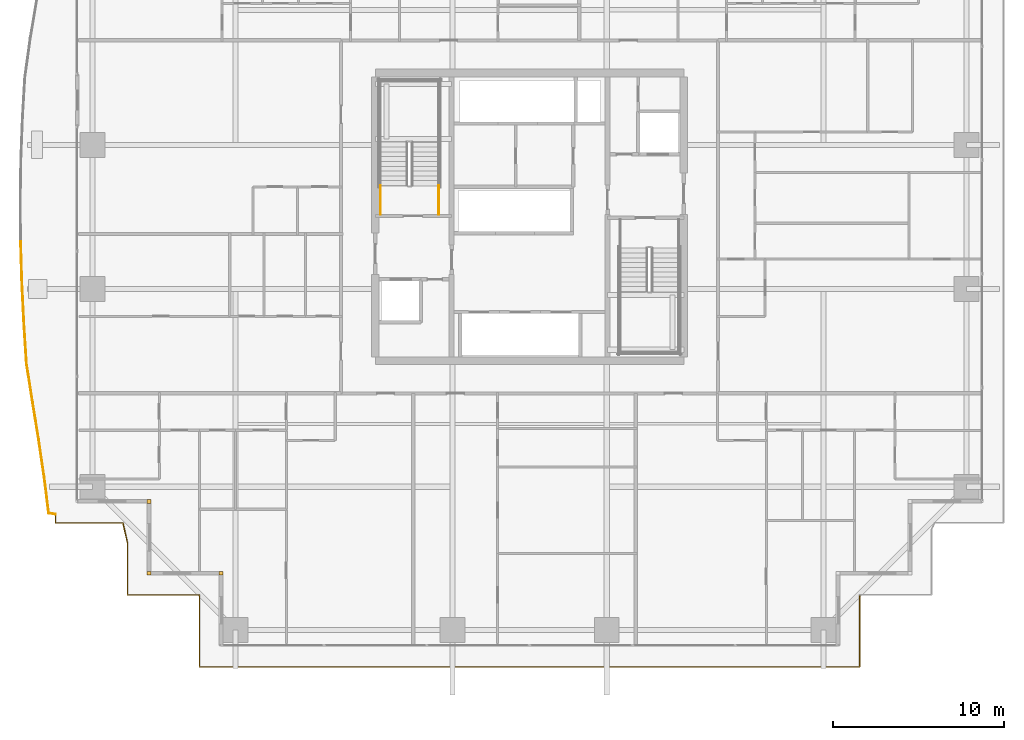
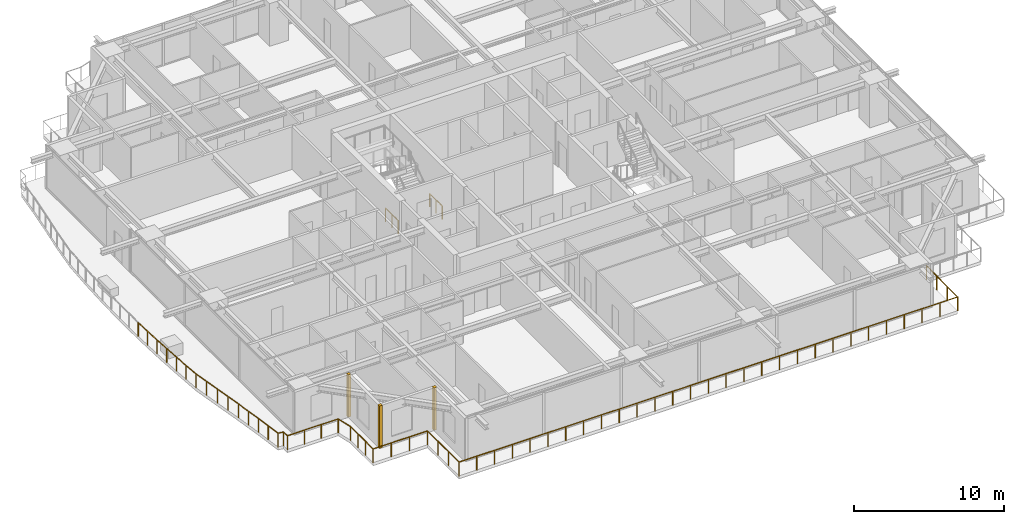
# One storey, part 30 of 35: 4 railings, 3 coverings.
"""IFC4 building model written with IfcOpenShell, lengths in metres."""

from ifc_helpers import new_model, si_unit, direction, frame, origin, origin_2d, place, context, subcontext, project, spatial, rectangle, circle, extrude, source, transform, mapped, material, layer, layer_set, type_object, element, save


model = new_model("IFC4")

# Units and contexts
model_context = context("Model", 3, precision=1e-05, world=origin(), true_north=direction((0.0, 1.0)))
body_context = subcontext(model_context, "Body", "Model", "MODEL_VIEW")
ifc_project = project(units=[si_unit("LENGTHUNIT", "METRE"), si_unit("AREAUNIT", "SQUARE_METRE"), si_unit("VOLUMEUNIT", "CUBIC_METRE"), si_unit("PLANEANGLEUNIT", "RADIAN"), si_unit("MASSUNIT", "GRAM", prefix="KILO")], contexts=[model_context])

# Site, building, storey
site_placement = place(None, origin())
site = spatial("IfcSite", under=ifc_project, at=site_placement, CompositionType="ELEMENT")
building_placement = place(site_placement, origin())
building = spatial("IfcBuilding", under=site, at=building_placement, Name="Serunith Strait Residences", CompositionType="ELEMENT")
storey_placement = place(building_placement, frame((0.0, 0.0, 71.699951171875)))
storey = spatial("IfcBuildingStorey", under=building, at=storey_placement, Name="L17", CompositionType="ELEMENT", Elevation=71.699951171875)

# Railings
ifc_material_1 = material(Name="Stainless Steel & Laminated Glass Balustrade", Category="steel")
railing_type_1 = type_object("IfcRailingType", Name="RLG-BALC-1150", PredefinedType="BALUSTRADE", material=ifc_material_1)
railing_1_placement = place(storey_placement, frame((4.739990234375, 7.8486328125, -0.050048828125)))
element("IfcRailing", 1, at=railing_1_placement, inside=storey, type_object=railing_type_1, Name="L17 Swirling Balcony Perimeter Balustrade 1", PredefinedType="BALUSTRADE", context=body_context, shape_type="SweptSolid", body=[
    extrude(circle(Radius=0.02392578125, at=origin_2d()), frame((-0.001953125, 0.000244140625, 1.1259765625), z_axis=(-0.987108076513, 0.160055132012, 0.0), x_axis=(-0.160055132012, -0.987108076513, 0.0)), (0.0, 0.0, 1.0), 0.397216796875),
    extrude(circle(Radius=0.02392578125, at=origin_2d()), frame((-0.396240234375, 0.066162109375, 1.1259765625), z_axis=(-0.125069265156, 0.992148012604, 0.0), x_axis=(-0.992148012604, -0.125069265156, 0.0)), (0.0, 0.0, 1.0), 2.145263671875),
    extrude(circle(Radius=0.02392578125, at=origin_2d()), frame((-0.6650390625, 2.198486328125, 1.1259765625), z_axis=(-0.145674785508, 0.989332530986, 0.0), x_axis=(-0.989332530986, -0.145674785508, 0.0)), (0.0, 0.0, 1.0), 2.173095703125),
    extrude(circle(Radius=0.02392578125, at=origin_2d()), frame((-0.982177734375, 4.352294921875, 1.1259765625), z_axis=(-0.160134877761, 0.987095142792, 0.0), x_axis=(-0.987095142792, -0.160134877761, 0.0)), (0.0, 0.0, 1.0), 2.2158203125),
    extrude(circle(Radius=0.02392578125, at=origin_2d()), frame((-1.337646484375, 6.54345703125, 1.1259765625), z_axis=(-0.155593626564, 0.987821149486, 0.0), x_axis=(-0.987821149486, -0.155593626564, 0.0)), (0.0, 0.0, 1.0), 2.272705078125),
    extrude(circle(Radius=0.02392578125, at=origin_2d()), frame((-1.69189453125, 8.79248046875, 1.1259765625), z_axis=(-0.06461216079, 0.997910451232, 0.0), x_axis=(-0.997910451232, -0.06461216079, 0.0)), (0.0, 0.0, 1.0), 2.35009765625),
    extrude(circle(Radius=0.02392578125, at=origin_2d()), frame((-1.84375, 11.1416015625, 1.1259765625), z_axis=(-0.049114251817, 0.998793166911, 0.0), x_axis=(-0.998793166911, -0.049114251817, 0.0)), (0.0, 0.0, 1.0), 2.376953125),
    extrude(circle(Radius=0.02392578125, at=origin_2d()), frame((-1.960693359375, 13.519775390625, 1.1259765625), z_axis=(-0.029898114531, 0.999552951448, 0.0), x_axis=(-0.999552951448, -0.029898114531, 0.0)), (0.0, 0.0, 1.0), 2.396728515625),
    extrude(circle(Radius=0.02099609375, at=origin_2d()), origin(), (0.0, 0.0, 1.0), 1.099853515625),
    extrude(circle(Radius=0.02099609375, at=origin_2d()), frame((-0.39599609375, 0.064208984375, 0.0)), (0.0, 0.0, 1.0), 1.099853515625),
    extrude(circle(Radius=0.02099609375, at=origin_2d()), frame((-0.5302734375, 1.13037109375, 0.0)), (0.0, 0.0, 1.0), 1.099853515625),
    extrude(circle(Radius=0.02099609375, at=origin_2d()), frame((-0.664794921875, 2.196533203125, 0.0)), (0.0, 0.0, 1.0), 1.099853515625),
    extrude(circle(Radius=0.02099609375, at=origin_2d()), frame((-0.8232421875, 3.2734375, 0.0)), (0.0, 0.0, 1.0), 1.099853515625),
    extrude(circle(Radius=0.02099609375, at=origin_2d()), frame((-0.98193359375, 4.350341796875, 0.0)), (0.0, 0.0, 1.0), 1.099853515625),
    extrude(circle(Radius=0.02099609375, at=origin_2d()), frame((-1.15966796875, 5.44580078125, 0.0)), (0.0, 0.0, 1.0), 1.099853515625),
    extrude(circle(Radius=0.02099609375, at=origin_2d()), frame((-1.33740234375, 6.54150390625, 0.0)), (0.0, 0.0, 1.0), 1.099853515625),
    extrude(circle(Radius=0.02099609375, at=origin_2d()), frame((-1.5146484375, 7.666015625, 0.0)), (0.0, 0.0, 1.0), 1.099853515625),
    extrude(circle(Radius=0.02099609375, at=origin_2d()), frame((-1.691650390625, 8.79052734375, 0.0)), (0.0, 0.0, 1.0), 1.099853515625),
    extrude(circle(Radius=0.02099609375, at=origin_2d()), frame((-1.767578125, 9.965087890625, 0.0)), (0.0, 0.0, 1.0), 1.099853515625),
    extrude(circle(Radius=0.02099609375, at=origin_2d()), frame((-1.84375, 11.1396484375, 0.0)), (0.0, 0.0, 1.0), 1.099853515625),
    extrude(circle(Radius=0.02099609375, at=origin_2d()), frame((-1.90234375, 12.32861328125, 0.0)), (0.0, 0.0, 1.0), 1.099853515625),
    extrude(circle(Radius=0.02099609375, at=origin_2d()), frame((-1.960693359375, 13.517822265625, 0.0)), (0.0, 0.0, 1.0), 1.099853515625),
    extrude(circle(Radius=0.02099609375, at=origin_2d()), frame((-1.99658203125, 14.7177734375, 0.0)), (0.0, 0.0, 1.0), 1.099853515625),
    extrude(circle(Radius=0.02099609375, at=origin_2d()), frame((-2.032470703125, 15.91748046875, 0.0)), (0.0, 0.0, 1.0), 1.099853515625),
])
railing_2_placement = place(storey_placement, frame((51.659912109375, 3.139892578125, -0.050048828125)))
element("IfcRailing", 2, at=railing_2_placement, inside=storey, type_object=railing_type_1, Name="L17 Swirling Balcony Perimeter Balustrade 8", PredefinedType="BALUSTRADE", context=body_context, shape_type="SweptSolid", body=[
    extrude(circle(Radius=0.02392578125, at=origin_2d()), frame((0.0, -0.001953125, 1.1259765625), z_axis=(0.0, -1.0, 0.0), x_axis=(1.0, 0.0, 0.0)), (0.0, 0.0, 1.0), 4.196044921875),
    extrude(circle(Radius=0.02392578125, at=origin_2d()), frame((-0.001953125, -4.199951171875, 1.1259765625), z_axis=(-1.0, 0.0, 0.0), x_axis=(0.0, -1.0, 0.0)), (0.0, 0.0, 1.0), 38.51611328125),
    extrude(circle(Radius=0.02392578125, at=origin_2d()), frame((-38.52001953125, -4.197998046875, 1.1259765625), z_axis=(0.0, 1.0, 0.0), x_axis=(-1.0, 0.0, 0.0)), (0.0, 0.0, 1.0), 4.196044921875),
    extrude(circle(Radius=0.02392578125, at=origin_2d()), frame((-38.52197265625, 0.0, 1.1259765625), z_axis=(-1.0, 0.0, 0.0), x_axis=(0.0, -1.0, 0.0)), (0.0, 0.0, 1.0), 4.196044921875),
    extrude(circle(Radius=0.02392578125, at=origin_2d()), frame((-42.719970703125, 0.001953125, 1.1259765625), z_axis=(0.0, 1.0, 0.0), x_axis=(-1.0, 0.0, 0.0)), (0.0, 0.0, 1.0), 3.007080078125),
    extrude(circle(Radius=0.02392578125, at=origin_2d()), frame((-42.720458984375, 3.012939453125, 1.1259765625), z_axis=(-0.221422078145, 0.975178067488, 0.0), x_axis=(-0.975178067488, -0.221422078145, 0.0)), (0.0, 0.0, 1.0), 1.215576171875),
    extrude(circle(Radius=0.02392578125, at=origin_2d()), frame((-42.991943359375, 4.2001953125, 1.1259765625), z_axis=(-1.0, 0.0, 0.0), x_axis=(0.0, -1.0, 0.0)), (0.0, 0.0, 1.0), 3.926025390625),
    extrude(circle(Radius=0.02392578125, at=origin_2d()), frame((-46.919921875, 4.2021484375, 1.1259765625), z_axis=(0.0, 1.0, 0.0), x_axis=(-1.0, 0.0, 0.0)), (0.0, 0.0, 1.0), 0.504638671875),
    extrude(circle(Radius=0.02099609375, at=origin_2d()), origin(), (0.0, 0.0, 1.0), 1.099853515625),
    extrude(circle(Radius=0.02099609375, at=origin_2d()), frame((0.0, -1.39990234375, 0.0)), (0.0, 0.0, 1.0), 1.099853515625),
    extrude(circle(Radius=0.02099609375, at=origin_2d()), frame((0.0, -2.800048828125, 0.0)), (0.0, 0.0, 1.0), 1.099853515625),
    extrude(circle(Radius=0.02099609375, at=origin_2d()), frame((0.0, -4.199951171875, 0.0)), (0.0, 0.0, 1.0), 1.099853515625),
    extrude(circle(Radius=0.02099609375, at=origin_2d()), frame((-1.375732421875, -4.199951171875, 0.0)), (0.0, 0.0, 1.0), 1.099853515625),
    extrude(circle(Radius=0.02099609375, at=origin_2d()), frame((-2.75146484375, -4.199951171875, 0.0)), (0.0, 0.0, 1.0), 1.099853515625),
    extrude(circle(Radius=0.02099609375, at=origin_2d()), frame((-4.127197265625, -4.199951171875, 0.0)), (0.0, 0.0, 1.0), 1.099853515625),
    extrude(circle(Radius=0.02099609375, at=origin_2d()), frame((-5.5029296875, -4.199951171875, 0.0)), (0.0, 0.0, 1.0), 1.099853515625),
    extrude(circle(Radius=0.02099609375, at=origin_2d()), frame((-6.878662109375, -4.199951171875, 0.0)), (0.0, 0.0, 1.0), 1.099853515625),
    extrude(circle(Radius=0.02099609375, at=origin_2d()), frame((-8.25439453125, -4.199951171875, 0.0)), (0.0, 0.0, 1.0), 1.099853515625),
    extrude(circle(Radius=0.02099609375, at=origin_2d()), frame((-9.6298828125, -4.199951171875, 0.0)), (0.0, 0.0, 1.0), 1.099853515625),
    extrude(circle(Radius=0.02099609375, at=origin_2d()), frame((-11.005615234375, -4.199951171875, 0.0)), (0.0, 0.0, 1.0), 1.099853515625),
    extrude(circle(Radius=0.02099609375, at=origin_2d()), frame((-12.38134765625, -4.199951171875, 0.0)), (0.0, 0.0, 1.0), 1.099853515625),
    extrude(circle(Radius=0.02099609375, at=origin_2d()), frame((-13.757080078125, -4.199951171875, 0.0)), (0.0, 0.0, 1.0), 1.099853515625),
    extrude(circle(Radius=0.02099609375, at=origin_2d()), frame((-15.1328125, -4.199951171875, 0.0)), (0.0, 0.0, 1.0), 1.099853515625),
    extrude(circle(Radius=0.02099609375, at=origin_2d()), frame((-16.508544921875, -4.199951171875, 0.0)), (0.0, 0.0, 1.0), 1.099853515625),
    extrude(circle(Radius=0.02099609375, at=origin_2d()), frame((-17.88427734375, -4.199951171875, 0.0)), (0.0, 0.0, 1.0), 1.099853515625),
    extrude(circle(Radius=0.02099609375, at=origin_2d()), frame((-19.260009765625, -4.199951171875, 0.0)), (0.0, 0.0, 1.0), 1.099853515625),
    extrude(circle(Radius=0.02099609375, at=origin_2d()), frame((-20.6357421875, -4.199951171875, 0.0)), (0.0, 0.0, 1.0), 1.099853515625),
    extrude(circle(Radius=0.02099609375, at=origin_2d()), frame((-22.011474609375, -4.199951171875, 0.0)), (0.0, 0.0, 1.0), 1.099853515625),
    extrude(circle(Radius=0.02099609375, at=origin_2d()), frame((-23.38720703125, -4.199951171875, 0.0)), (0.0, 0.0, 1.0), 1.099853515625),
    extrude(circle(Radius=0.02099609375, at=origin_2d()), frame((-24.762939453125, -4.199951171875, 0.0)), (0.0, 0.0, 1.0), 1.099853515625),
    extrude(circle(Radius=0.02099609375, at=origin_2d()), frame((-26.138671875, -4.199951171875, 0.0)), (0.0, 0.0, 1.0), 1.099853515625),
    extrude(circle(Radius=0.02099609375, at=origin_2d()), frame((-27.514404296875, -4.199951171875, 0.0)), (0.0, 0.0, 1.0), 1.099853515625),
    extrude(circle(Radius=0.02099609375, at=origin_2d()), frame((-28.89013671875, -4.199951171875, 0.0)), (0.0, 0.0, 1.0), 1.099853515625),
    extrude(circle(Radius=0.02099609375, at=origin_2d()), frame((-30.265625, -4.199951171875, 0.0)), (0.0, 0.0, 1.0), 1.099853515625),
    extrude(circle(Radius=0.02099609375, at=origin_2d()), frame((-31.641357421875, -4.199951171875, 0.0)), (0.0, 0.0, 1.0), 1.099853515625),
    extrude(circle(Radius=0.02099609375, at=origin_2d()), frame((-33.01708984375, -4.199951171875, 0.0)), (0.0, 0.0, 1.0), 1.099853515625),
    extrude(circle(Radius=0.02099609375, at=origin_2d()), frame((-34.392822265625, -4.199951171875, 0.0)), (0.0, 0.0, 1.0), 1.099853515625),
    extrude(circle(Radius=0.02099609375, at=origin_2d()), frame((-35.7685546875, -4.199951171875, 0.0)), (0.0, 0.0, 1.0), 1.099853515625),
    extrude(circle(Radius=0.02099609375, at=origin_2d()), frame((-37.144287109375, -4.199951171875, 0.0)), (0.0, 0.0, 1.0), 1.099853515625),
    extrude(circle(Radius=0.02099609375, at=origin_2d()), frame((-38.52001953125, -4.199951171875, 0.0)), (0.0, 0.0, 1.0), 1.099853515625),
    extrude(circle(Radius=0.02099609375, at=origin_2d()), frame((-38.52001953125, -2.800048828125, 0.0)), (0.0, 0.0, 1.0), 1.099853515625),
    extrude(circle(Radius=0.02099609375, at=origin_2d()), frame((-38.52001953125, -1.39990234375, 0.0)), (0.0, 0.0, 1.0), 1.099853515625),
    extrude(circle(Radius=0.02099609375, at=origin_2d()), frame((-38.52001953125, 0.0, 0.0)), (0.0, 0.0, 1.0), 1.099853515625),
    extrude(circle(Radius=0.02099609375, at=origin_2d()), frame((-39.919921875, 0.0, 0.0)), (0.0, 0.0, 1.0), 1.099853515625),
    extrude(circle(Radius=0.02099609375, at=origin_2d()), frame((-41.320068359375, 0.0, 0.0)), (0.0, 0.0, 1.0), 1.099853515625),
    extrude(circle(Radius=0.02099609375, at=origin_2d()), frame((-42.719970703125, 0.0, 0.0)), (0.0, 0.0, 1.0), 1.099853515625),
    extrude(circle(Radius=0.02099609375, at=origin_2d()), frame((-42.719970703125, 1.003662109375, 0.0)), (0.0, 0.0, 1.0), 1.099853515625),
    extrude(circle(Radius=0.02099609375, at=origin_2d()), frame((-42.719970703125, 2.00732421875, 0.0)), (0.0, 0.0, 1.0), 1.099853515625),
    extrude(circle(Radius=0.02099609375, at=origin_2d()), frame((-42.719970703125, 3.010986328125, 0.0)), (0.0, 0.0, 1.0), 1.099853515625),
    extrude(circle(Radius=0.02099609375, at=origin_2d()), frame((-42.989990234375, 4.2001953125, 0.0)), (0.0, 0.0, 1.0), 1.099853515625),
    extrude(circle(Radius=0.02099609375, at=origin_2d()), frame((-44.300048828125, 4.2001953125, 0.0)), (0.0, 0.0, 1.0), 1.099853515625),
    extrude(circle(Radius=0.02099609375, at=origin_2d()), frame((-45.60986328125, 4.2001953125, 0.0)), (0.0, 0.0, 1.0), 1.099853515625),
    extrude(circle(Radius=0.02099609375, at=origin_2d()), frame((-46.919921875, 4.2001953125, 0.0)), (0.0, 0.0, 1.0), 1.099853515625),
    extrude(circle(Radius=0.02099609375, at=origin_2d()), frame((-46.919921875, 4.708740234375, 0.0)), (0.0, 0.0, 1.0), 1.099853515625),
])
ifc_material_2 = material(Name="Brushed stainless steel 316L", Category="steel")
railing_type_2 = type_object("IfcRailingType", Name="RLG-STAIR-GUARD", PredefinedType="BALUSTRADE", material=ifc_material_2)
for number, where, name in (
    (3, (27.10009765625, 25.35009765625, 0.0), "L17 ST-1 stair guard 8"),
    (4, (23.699951171875, 25.35009765625, 0.0), "L17 ST-1 stair guard 9"),
):
    element("IfcRailing", number, at=place(storey_placement, frame(where)), inside=storey, type_object=railing_type_2, Name=name, PredefinedType="BALUSTRADE", context=body_context, shape_type="SweptSolid", body=[
        extrude(circle(Radius=0.02392578125, at=origin_2d()), frame((0.0, 0.001953125, 1.076171875), z_axis=(0.0, 1.0, 0.0), x_axis=(-1.0, 0.0, 0.0)), (0.0, 0.0, 1.0), 1.676025390625),
        extrude(circle(Radius=0.02099609375, at=origin_2d()), origin(), (0.0, 0.0, 1.0), 1.050048828125),
        extrude(circle(Radius=0.02099609375, at=origin_2d()), frame((0.0, 0.83984375, 0.0)), (0.0, 0.0, 1.0), 1.050048828125),
        extrude(circle(Radius=0.02099609375, at=origin_2d()), frame((0.0, 1.679931640625, 0.0)), (0.0, 0.0, 1.0), 1.050048828125),
    ])

# Coverings
ifc_material_3 = material(Name="Pale-Champagne Anodised Aluminium", Category="aluminium")
ifc_layer = layer(ifc_material_3, 0.219970703125, Name="Pale-Champagne Anodised Aluminium")
ifc_layer_set = layer_set([ifc_layer], Name="Pale-Champagne Anodised Aluminium")
covering_type = type_object("IfcCoveringType", Name="COV-CORN-TRIM", PredefinedType="CLADDING", material=ifc_layer_set)
shared_shape = source(origin(), body_context, "Body", "SweptSolid", [
    extrude(rectangle(XDim=0.221923828125, YDim=0.221923828125, at=origin_2d()), origin(), (0.0, 0.0, 1.0), 3.47509765625),
])
for number, where, z_axis, x_axis, name in (
    (5, (10.199951171875, 8.60009765625, 0.0), (0.0, 0.0, 1.0), (1.0, 0.0, 0.0), "L17 Girih Serrated Corner Trim Post 17"),
    (6, (10.199951171875, 4.39990234375, 0.0), (0.0, 0.0, 1.0), (1.0, 0.0, 0.0), "L17 Girih Serrated Corner Trim Post 18"),
    (7, (14.39990234375, 4.39990234375, 0.0), (0.0, 0.0, 1.0), (1.0, 0.0, 0.0), "L17 Girih Serrated Corner Trim Post 19"),
):
    element("IfcCovering", number, at=place(storey_placement, frame(where, z_axis=z_axis, x_axis=x_axis)), inside=storey, type_object=covering_type, Name=name, PredefinedType="CLADDING", context=body_context, shape_type="MappedRepresentation", body=[
        mapped(shared_shape, transform((0.0, 0.0, 0.0), scale=1.0)),
    ])

save(model, "model.ifc")
